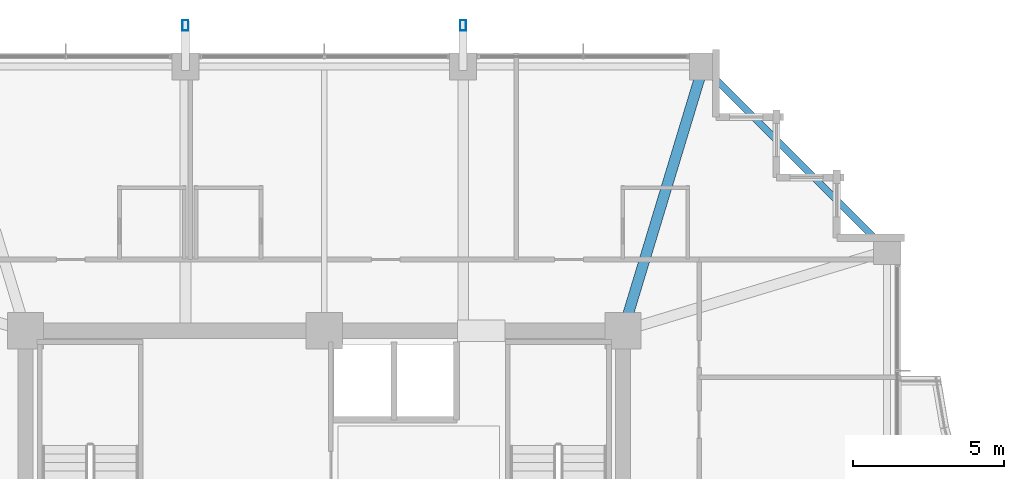
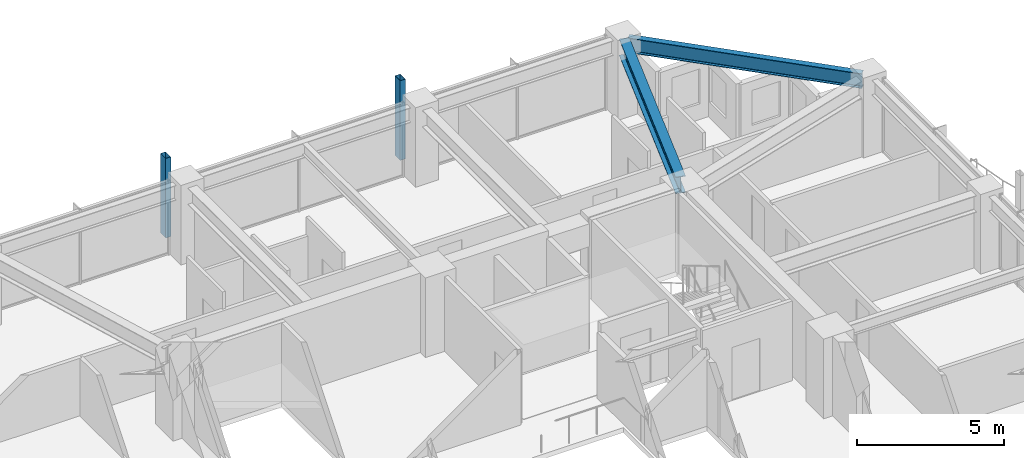
# One storey, part 23 of 35: 2 beams, 2 members.
"""IFC4 building model written with IfcOpenShell, lengths in metres."""

from ifc_helpers import new_model, si_unit, direction, frame, origin, origin_2d, place, context, subcontext, project, spatial, hollow_rectangle, i_section, extrude, material, material_profile, profile_set, type_object, element, save


model = new_model("IFC4")

# Units and contexts
model_context = context("Model", 3, precision=1e-05, world=origin(), true_north=direction((0.0, 1.0)))
body_context = subcontext(model_context, "Body", "Model", "MODEL_VIEW")
ifc_project = project(units=[si_unit("LENGTHUNIT", "METRE"), si_unit("AREAUNIT", "SQUARE_METRE"), si_unit("VOLUMEUNIT", "CUBIC_METRE"), si_unit("PLANEANGLEUNIT", "RADIAN"), si_unit("MASSUNIT", "GRAM", prefix="KILO")], contexts=[model_context])

# Site, building, storey
site_placement = place(None, origin())
site = spatial("IfcSite", under=ifc_project, at=site_placement, CompositionType="ELEMENT")
building_placement = place(site_placement, origin())
building = spatial("IfcBuilding", under=site, at=building_placement, Name="Kolvaren Belvedere", CompositionType="ELEMENT")
storey_placement = place(building_placement, frame((0.0, 0.0, 163.5)))
storey = spatial("IfcBuildingStorey", under=building, at=storey_placement, Name="L47", CompositionType="ELEMENT", Elevation=163.5)

# Beams
ifc_material_1 = material(Name="Structural steel ASTM A992 Grade 50", Category="steel")
ifc_material_profile_1 = material_profile(ifc_material_1, i_section(OverallWidth=0.35498046875, OverallDepth=0.696044921875, WebThickness=0.015380859375, FlangeThickness=0.02490234375, FilletRadius=0.02197265625, at=origin_2d()), Name="W27X146")
ifc_profile_set_1 = profile_set([ifc_material_profile_1], Name="Structural steel ASTM A992 Grade 50")
beam_type_1 = type_object("IfcBeamType", Name="BM-GIRD-W27X146", PredefinedType="BEAM", material=ifc_profile_set_1)
beam_1_placement = place(storey_placement, frame((10.059326171875, 10.426513671875, 2.751953125), z_axis=(0.289865629086, 0.957067352423, 0.0), x_axis=(-0.957067352423, 0.289865629086, 0.0)))
element("IfcBeam", 1, at=beam_1_placement, inside=storey, type_object=beam_type_1, Name="L47 Corner Core-to-Perimeter Girder CC3-N4", PredefinedType="BEAM", context=body_context, shape_type="SweptSolid", body=[
    extrude(i_section(OverallWidth=0.35498046875, OverallDepth=0.696044921875, WebThickness=0.015380859375, FlangeThickness=0.02490234375, FilletRadius=0.02197265625, at=origin_2d()), origin(), (0.0, 0.0, 1.0), 8.412353515625),
])
ifc_material_2 = material(Name="Structural steel ASTM A992 Grade 50", Category="steel")
ifc_material_profile_2 = material_profile(ifc_material_2, i_section(OverallWidth=0.22900390625, OverallDepth=0.612060546875, WebThickness=0.011962890625, FlangeThickness=0.01953125, FilletRadius=0.01806640625, at=origin_2d()), Name="W24X84")
ifc_profile_set_2 = profile_set([ifc_material_profile_2], Name="Structural steel ASTM A992 Grade 50")
beam_type_2 = type_object("IfcBeamType", Name="BM-SPAN-W24X84", PredefinedType="SPANDREL", material=ifc_profile_set_2)
beam_2_placement = place(storey_placement, frame((18.5068359375, 12.693115234375, 2.7939453125), z_axis=(-0.707106781187, 0.707106781187, 0.0), x_axis=(-0.707106781187, -0.707106781187, 0.0)))
element("IfcBeam", 2, at=beam_2_placement, inside=storey, type_object=beam_type_2, Name="L47 Perimeter Spandrel E4-N4", PredefinedType="SPANDREL", context=body_context, shape_type="SweptSolid", body=[
    extrude(i_section(OverallWidth=0.22900390625, OverallDepth=0.612060546875, WebThickness=0.011962890625, FlangeThickness=0.01953125, FilletRadius=0.01806640625, at=origin_2d()), origin(), (0.0, 0.0, 1.0), 8.221923828125),
])

# Members
ifc_material_3 = material(Name="Anodised pale-metal aluminium AA 6063-T6", Category="aluminium")
ifc_material_profile_3 = material_profile(ifc_material_3, hollow_rectangle(XDim=0.199951171875, YDim=0.35009765625, WallThickness=0.007568359375, at=origin_2d()), Name="ALU-PF-350X200")
ifc_profile_set_3 = profile_set([ifc_material_profile_3], Name="Anodised pale-metal aluminium AA 6063-T6")
member_type = type_object("IfcMemberType", Name="PF-FRAME-350", PredefinedType="USERDEFINED", material=ifc_profile_set_3)
for number, where, z_axis, x_axis, name in (
    (3, (-4.60009765625, 20.02001953125, 0.0), (0.0, 0.0, 1.0), (1.0, 0.0, 0.0), "L47 Outboard Picture-Frame Vertical N1"),
    (4, (4.60009765625, 20.02001953125, 0.0), (0.0, 0.0, 1.0), (1.0, 0.0, 0.0), "L47 Outboard Picture-Frame Vertical N2"),
):
    element("IfcMember", number, at=place(storey_placement, frame(where, z_axis=z_axis, x_axis=x_axis)), inside=storey, type_object=member_type, Name=name, ObjectType="PICTURE FRAME FIN", PredefinedType="USERDEFINED", context=body_context, shape_type="SweptSolid", body=[
        extrude(hollow_rectangle(XDim=0.199951171875, YDim=0.35009765625, WallThickness=0.007568359375, at=origin_2d()), origin(), (0.0, 0.0, 1.0), 3.300048828125),
    ])

save(model, "model.ifc")
